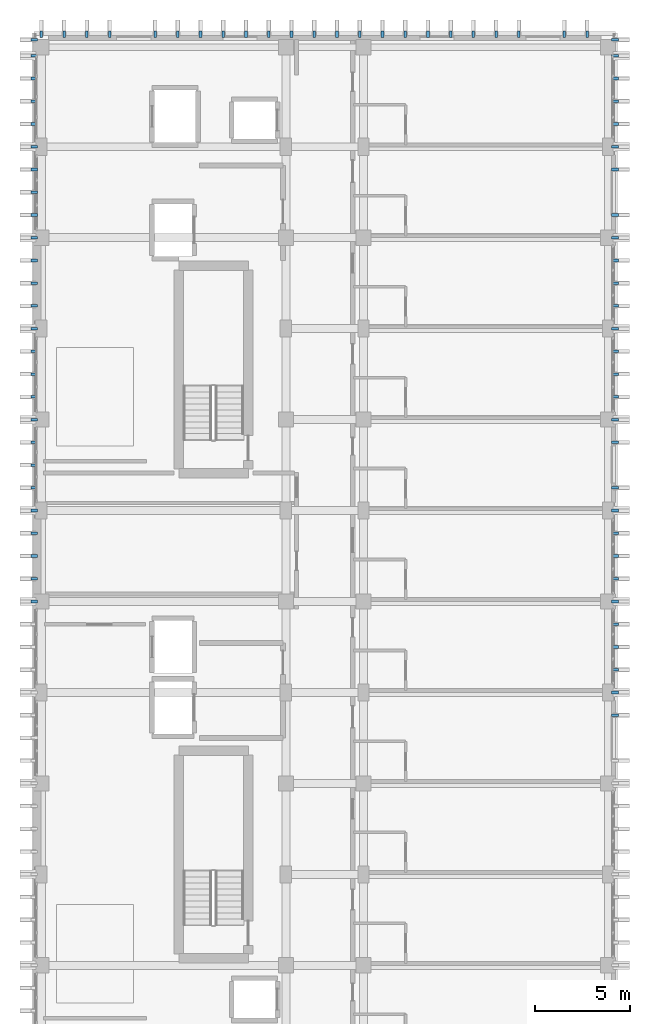
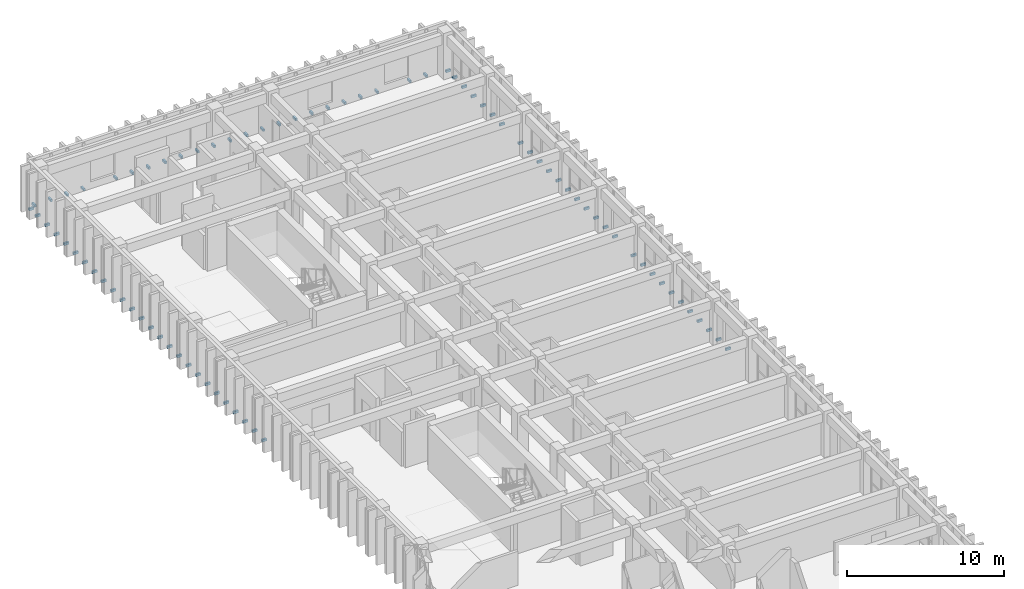
# One storey, part 71 of 82: 78 discrete accessories.
"""IFC4 building model written with IfcOpenShell, lengths in metres."""

import ifcopenshell
import ifcopenshell.guid

model = None  # the IFC model being written
_history = None  # IfcOwnerHistory: only IFC2X3 demands one
_inside = {}  # id of a spatial element -> (the spatial element, [elements in it])
_under = {}  # id of a project, library or spatial element -> (it, [spatial elements below it])
_declared = {}  # id of a project -> (the project, [libraries it declares])
_typed = {}  # id of a type object -> (the type object, [elements of that type])
_made_of = {}  # id of a material, layer set ... -> (it, [elements and type objects made of it])


def new_model(schema):
    """Start an empty IFC model of exactly this schema.

    Asked for "IFC4X3", IfcOpenShell would pick the latest addendum, in which some entities
    have other attributes; the version numbers below select the first issue.
    IFC2X3 requires an IfcOwnerHistory on every rooted entity: one is made here for all.
    """
    global model, _history
    if schema == "IFC4X3":
        model = ifcopenshell.file(schema_version=(4, 3, 0, 0))
    else:
        model = ifcopenshell.file(schema=schema)
    _inside.clear()
    _under.clear()
    _declared.clear()
    _typed.clear()
    _made_of.clear()
    _history = None
    if model.schema == "IFC2X3":
        org = make("IfcOrganization", Name="unknown")
        user = make(
            "IfcPersonAndOrganization",
            ThePerson=make("IfcPerson", FamilyName="unknown"),
            TheOrganization=org,
        )
        app = make(
            "IfcApplication",
            ApplicationDeveloper=org,
            Version="unknown",
            ApplicationFullName="unknown",
            ApplicationIdentifier="unknown",
        )
        _history = make(
            "IfcOwnerHistory",
            OwningUser=user,
            OwningApplication=app,
            ChangeAction="ADDED",
            CreationDate=0,
        )
    return model


def make(cls, **values):
    """One entity of the class cls with the attributes given. An attribute that is None is left unset."""
    return model.create_entity(
        cls, **{name: value for name, value in values.items() if value is not None}
    )


def rooted(cls, **values):
    """An entity with a GlobalId (a new one), such as an element, a storey or a relation."""
    return make(cls, GlobalId=ifcopenshell.guid.new(), OwnerHistory=_history, **values)


def si_unit(unit_type, name, prefix=None):
    """IfcSIUnit, for example si_unit("LENGTHUNIT", "METRE", prefix="MILLI")."""
    return make("IfcSIUnit", UnitType=unit_type, Prefix=prefix, Name=name)


def assignment(units):
    """IfcUnitAssignment: the units of a project."""
    return None if units is None else make("IfcUnitAssignment", Units=units)


def point(xyz):
    """IfcCartesianPoint."""
    return None if xyz is None else make("IfcCartesianPoint", Coordinates=xyz)


def direction(xyz):
    """IfcDirection."""
    return None if xyz is None else make("IfcDirection", DirectionRatios=xyz)


def frame(location, z_axis=None, x_axis=None):
    """IfcAxis2Placement3D, a coordinate frame: its origin and axes. An axis left out is left unset."""
    return make(
        "IfcAxis2Placement3D",
        Location=point(location),
        Axis=direction(z_axis),
        RefDirection=direction(x_axis),
    )


def frame_2d(location, x_axis=None):
    """IfcAxis2Placement2D, a coordinate frame in the plane: its origin and x axis."""
    return make(
        "IfcAxis2Placement2D", Location=point(location), RefDirection=direction(x_axis)
    )


def origin():
    """The frame at (0, 0, 0) with its axes left unset."""
    return frame((0.0, 0.0, 0.0))


def origin_2d():
    """The frame at (0, 0) in the plane with its x axis left unset."""
    return frame_2d((0.0, 0.0))


def place(relative_to, where):
    """IfcLocalPlacement: puts the frame where relative to a parent placement (None: the world)."""
    return make(
        "IfcLocalPlacement", PlacementRelTo=relative_to, RelativePlacement=where
    )


def context(
    kind, dimensions, precision=None, world=None, true_north=None, identifier=None
):
    """IfcGeometricRepresentationContext, for example the 3D "Model" context."""
    return make(
        "IfcGeometricRepresentationContext",
        ContextIdentifier=identifier,
        ContextType=kind,
        CoordinateSpaceDimension=dimensions,
        Precision=precision,
        WorldCoordinateSystem=world,
        TrueNorth=true_north,
    )


def subcontext(parent, identifier, kind, view, scale=None):
    """IfcGeometricRepresentationSubContext, for example "Body" below "Model"."""
    return make(
        "IfcGeometricRepresentationSubContext",
        ContextIdentifier=identifier,
        ContextType=kind,
        ParentContext=parent,
        TargetScale=scale,
        TargetView=view,
    )


def project(units=None, contexts=None):
    """IfcProject with its units and contexts."""
    return rooted(
        "IfcProject",
        Name="project",
        RepresentationContexts=contexts,
        UnitsInContext=assignment(units),
    )


def spatial(cls, under=None, at=None, **own):
    """A site, building, storey or space (cls), placed at a placement, below another one or the project."""
    s = rooted(cls, ObjectPlacement=at, **own)
    if under is not None:
        _under.setdefault(under.id(), (under, []))[1].append(s)
    return s


def profile(cls, at=None, kind="AREA", **sizes):
    """A parametric profile (cls). Its sizes go by their IFC names, for example OverallWidth=200.0."""
    return make(cls, ProfileType=kind, Position=at, **sizes)


def rectangle(**sizes):
    """IfcRectangleProfileDef."""
    return profile("IfcRectangleProfileDef", **sizes)


def extrude(swept, where, along, depth):
    """IfcExtrudedAreaSolid: the profile swept, set in the frame where, extruded along a direction by depth."""
    return make(
        "IfcExtrudedAreaSolid",
        SweptArea=swept,
        Position=where,
        ExtrudedDirection=direction(along),
        Depth=depth,
    )


def shape(context_of_items, identifier, shape_type, items):
    """IfcShapeRepresentation: the items that make up one representation, for example the "Body"."""
    return make(
        "IfcShapeRepresentation",
        ContextOfItems=context_of_items,
        RepresentationIdentifier=identifier,
        RepresentationType=shape_type,
        Items=items,
    )


def material(Name=None, Category=None):
    """IfcMaterial."""
    return make("IfcMaterial", Name=Name, Category=Category)


def made_of(thing, what):
    """Note that an element or type object is made of a material, layer set ...; save() writes the relation."""
    if what is not None:
        _made_of.setdefault(what.id(), (what, []))[1].append(thing)
    return thing


def type_object(cls, material=None, **own):
    """A type object (cls), such as IfcWallType, which elements share."""
    return made_of(rooted(cls, **own), material)


def element(
    cls,
    number,
    at=None,
    inside=None,
    cuts=None,
    type_object=None,
    material=None,
    context=None,
    identifier="Body",
    shape_type=None,
    held_by="IfcProductDefinitionShape",
    body=None,
    shapes=None,
    **own,
):
    """One element of the class cls, such as IfcWall. Its Tag is "e" and its number.

    at: its placement. inside: the storey or other place that contains it. cuts: it is an
    opening in that element (IfcRelVoidsElement). A single representation is given by context,
    identifier, shape_type and body (its items); several are given by shapes. held_by: the class
    of the entity that holds the representations. save() writes the other relations.
    """
    e = rooted(cls, Tag="e%d" % number, ObjectPlacement=at, **own)
    if body is not None:
        shapes = [shape(context, identifier, shape_type, body)]
    if shapes is not None:
        e.Representation = make(held_by, Representations=shapes)
    if inside is not None:
        _inside.setdefault(inside.id(), (inside, []))[1].append(e)
    if cuts is not None:
        rooted(
            "IfcRelVoidsElement", RelatingBuildingElement=cuts, RelatedOpeningElement=e
        )
    if type_object is not None:
        _typed.setdefault(type_object.id(), (type_object, []))[1].append(e)
    return made_of(e, material)


def aggregate(whole, parts):
    """IfcRelAggregates: a whole, such as a stair, and the parts it consists of."""
    return rooted("IfcRelAggregates", RelatingObject=whole, RelatedObjects=parts)


def save(model, path):
    """Write the relations noted so far, then the file.

    IfcRelAggregates (storeys below a building ...), IfcRelContainedInSpatialStructure (elements
    in a storey), IfcRelDefinesByType, IfcRelAssociatesMaterial and IfcRelDeclares: one each for
    every whole, place, type object, material and project.
    """
    for whole, parts in _under.values():
        aggregate(whole, parts)
    for where, things in _inside.values():
        rooted(
            "IfcRelContainedInSpatialStructure",
            RelatedElements=things,
            RelatingStructure=where,
        )
    for kind, things in _typed.values():
        rooted("IfcRelDefinesByType", RelatedObjects=things, RelatingType=kind)
    for what, things in _made_of.values():
        rooted("IfcRelAssociatesMaterial", RelatedObjects=things, RelatingMaterial=what)
    for by, libraries in _declared.values():
        rooted("IfcRelDeclares", RelatingContext=by, RelatedDefinitions=libraries)
    model.write(path)


model = new_model("IFC4")

# Units and contexts
model_context = context("Model", 3, precision=1e-05, world=origin(), true_north=direction((0.0, 1.0)))
body_context = subcontext(model_context, "Body", "Model", "MODEL_VIEW")
ifc_project = project(units=[si_unit("LENGTHUNIT", "METRE"), si_unit("AREAUNIT", "SQUARE_METRE"), si_unit("VOLUMEUNIT", "CUBIC_METRE"), si_unit("PLANEANGLEUNIT", "RADIAN"), si_unit("MASSUNIT", "GRAM", prefix="KILO")], contexts=[model_context])

# Site, building, storey
site_placement = place(None, origin())
site = spatial("IfcSite", under=ifc_project, at=site_placement, CompositionType="ELEMENT")
building_placement = place(site_placement, origin())
building = spatial("IfcBuilding", under=site, at=building_placement, Name="Nakhvara Creek Congress Hotel", CompositionType="ELEMENT")
storey_placement = place(building_placement, frame((0.0, 0.0, 21.0)))
storey = spatial("IfcBuildingStorey", under=building, at=storey_placement, Name="L04", CompositionType="ELEMENT", Elevation=21.0)

# Discrete accessories
ifc_material = material(Name="Brushed stainless steel 316L", Category="steel")
discrete_accessory_type = type_object("IfcDiscreteAccessoryType", Name="ACC-BRK-SS316", PredefinedType="BRACKET", material=ifc_material)
for number, where, z_axis, x_axis, name in (
    (1, (179.72998046875, 90.0, -0.10986328125), (0.0, 0.0, 1.0), (0.0, 1.0, 0.0), "Stainless Fin Bracket BK01-1178"),
    (2, (179.72998046875, 91.199951171875, -0.10986328125), (0.0, 0.0, 1.0), (0.0, 1.0, 0.0), "Stainless Fin Bracket BK01-1180"),
    (3, (179.72998046875, 92.39990234375, -0.10986328125), (0.0, 0.0, 1.0), (0.0, 1.0, 0.0), "Stainless Fin Bracket BK01-1182"),
    (4, (179.72998046875, 93.60009765625, -0.10986328125), (0.0, 0.0, 1.0), (0.0, 1.0, 0.0), "Stainless Fin Bracket BK01-1184"),
    (5, (179.72998046875, 94.800048828125, -0.10986328125), (0.0, 0.0, 1.0), (0.0, 1.0, 0.0), "Stainless Fin Bracket BK01-1186"),
    (6, (179.72998046875, 96.0, -0.10986328125), (0.0, 0.0, 1.0), (0.0, 1.0, 0.0), "Stainless Fin Bracket BK01-1188"),
    (7, (149.070068359375, 96.0, -0.10986328125), (0.0, 0.0, 1.0), (0.0, 1.0, 0.0), "Stainless Fin Bracket BK01-1189"),
    (8, (179.72998046875, 97.199951171875, -0.10986328125), (0.0, 0.0, 1.0), (0.0, 1.0, 0.0), "Stainless Fin Bracket BK01-1190"),
    (9, (149.070068359375, 97.199951171875, -0.10986328125), (0.0, 0.0, 1.0), (0.0, 1.0, 0.0), "Stainless Fin Bracket BK01-1191"),
    (10, (179.72998046875, 98.39990234375, -0.10986328125), (0.0, 0.0, 1.0), (0.0, 1.0, 0.0), "Stainless Fin Bracket BK01-1192"),
    (11, (149.070068359375, 98.39990234375, -0.10986328125), (0.0, 0.0, 1.0), (0.0, 1.0, 0.0), "Stainless Fin Bracket BK01-1193"),
    (12, (179.72998046875, 99.60009765625, -0.10986328125), (0.0, 0.0, 1.0), (0.0, 1.0, 0.0), "Stainless Fin Bracket BK01-1194"),
    (13, (149.070068359375, 99.60009765625, -0.10986328125), (0.0, 0.0, 1.0), (0.0, 1.0, 0.0), "Stainless Fin Bracket BK01-1195"),
    (14, (179.72998046875, 100.800048828125, -0.10986328125), (0.0, 0.0, 1.0), (0.0, 1.0, 0.0), "Stainless Fin Bracket BK01-1196"),
    (15, (149.070068359375, 100.800048828125, -0.10986328125), (0.0, 0.0, 1.0), (0.0, 1.0, 0.0), "Stainless Fin Bracket BK01-1197"),
    (16, (179.72998046875, 102.0, -0.10986328125), (0.0, 0.0, 1.0), (0.0, 1.0, 0.0), "Stainless Fin Bracket BK01-1198"),
    (17, (149.070068359375, 102.0, -0.10986328125), (0.0, 0.0, 1.0), (0.0, 1.0, 0.0), "Stainless Fin Bracket BK01-1199"),
    (18, (149.070068359375, 103.199951171875, -0.10986328125), (0.0, 0.0, 1.0), (0.0, 1.0, 0.0), "Stainless Fin Bracket BK01-1200"),
    (19, (179.72998046875, 104.39990234375, -0.10986328125), (0.0, 0.0, 1.0), (0.0, 1.0, 0.0), "Stainless Fin Bracket BK01-1201"),
    (20, (149.070068359375, 104.39990234375, -0.10986328125), (0.0, 0.0, 1.0), (0.0, 1.0, 0.0), "Stainless Fin Bracket BK01-1202"),
    (21, (179.72998046875, 105.60009765625, -0.10986328125), (0.0, 0.0, 1.0), (0.0, 1.0, 0.0), "Stainless Fin Bracket BK01-1203"),
    (22, (149.070068359375, 105.60009765625, -0.10986328125), (0.0, 0.0, 1.0), (0.0, 1.0, 0.0), "Stainless Fin Bracket BK01-1204"),
    (23, (179.72998046875, 106.800048828125, -0.10986328125), (0.0, 0.0, 1.0), (0.0, 1.0, 0.0), "Stainless Fin Bracket BK01-1205"),
    (24, (149.070068359375, 106.800048828125, -0.10986328125), (0.0, 0.0, 1.0), (0.0, 1.0, 0.0), "Stainless Fin Bracket BK01-1206"),
    (25, (179.72998046875, 108.0, -0.10986328125), (0.0, 0.0, 1.0), (0.0, 1.0, 0.0), "Stainless Fin Bracket BK01-1207"),
    (26, (149.070068359375, 108.0, -0.10986328125), (0.0, 0.0, 1.0), (0.0, 1.0, 0.0), "Stainless Fin Bracket BK01-1208"),
    (27, (179.72998046875, 109.199951171875, -0.10986328125), (0.0, 0.0, 1.0), (0.0, 1.0, 0.0), "Stainless Fin Bracket BK01-1209"),
    (28, (149.070068359375, 109.199951171875, -0.10986328125), (0.0, 0.0, 1.0), (0.0, 1.0, 0.0), "Stainless Fin Bracket BK01-1210"),
    (29, (179.72998046875, 110.39990234375, -0.10986328125), (0.0, 0.0, 1.0), (0.0, 1.0, 0.0), "Stainless Fin Bracket BK01-1211"),
    (30, (149.070068359375, 110.39990234375, -0.10986328125), (0.0, 0.0, 1.0), (0.0, 1.0, 0.0), "Stainless Fin Bracket BK01-1212"),
    (31, (179.72998046875, 111.60009765625, -0.10986328125), (0.0, 0.0, 1.0), (0.0, 1.0, 0.0), "Stainless Fin Bracket BK01-1213"),
    (32, (149.070068359375, 111.60009765625, -0.10986328125), (0.0, 0.0, 1.0), (0.0, 1.0, 0.0), "Stainless Fin Bracket BK01-1214"),
    (33, (179.72998046875, 112.800048828125, -0.10986328125), (0.0, 0.0, 1.0), (0.0, 1.0, 0.0), "Stainless Fin Bracket BK01-1215"),
    (34, (149.070068359375, 112.800048828125, -0.10986328125), (0.0, 0.0, 1.0), (0.0, 1.0, 0.0), "Stainless Fin Bracket BK01-1216"),
    (35, (179.72998046875, 114.0, -0.10986328125), (0.0, 0.0, 1.0), (0.0, 1.0, 0.0), "Stainless Fin Bracket BK01-1217"),
    (36, (149.070068359375, 114.0, -0.10986328125), (0.0, 0.0, 1.0), (0.0, 1.0, 0.0), "Stainless Fin Bracket BK01-1218"),
    (37, (179.72998046875, 115.199951171875, -0.10986328125), (0.0, 0.0, 1.0), (0.0, 1.0, 0.0), "Stainless Fin Bracket BK01-1219"),
    (38, (149.070068359375, 115.199951171875, -0.10986328125), (0.0, 0.0, 1.0), (0.0, 1.0, 0.0), "Stainless Fin Bracket BK01-1220"),
    (39, (179.72998046875, 116.39990234375, -0.10986328125), (0.0, 0.0, 1.0), (0.0, 1.0, 0.0), "Stainless Fin Bracket BK01-1221"),
    (40, (149.070068359375, 116.39990234375, -0.10986328125), (0.0, 0.0, 1.0), (0.0, 1.0, 0.0), "Stainless Fin Bracket BK01-1222"),
    (41, (149.070068359375, 117.60009765625, -0.10986328125), (0.0, 0.0, 1.0), (0.0, 1.0, 0.0), "Stainless Fin Bracket BK01-1223"),
    (42, (179.72998046875, 118.800048828125, -0.10986328125), (0.0, 0.0, 1.0), (0.0, 1.0, 0.0), "Stainless Fin Bracket BK01-1224"),
    (43, (149.070068359375, 118.800048828125, -0.10986328125), (0.0, 0.0, 1.0), (0.0, 1.0, 0.0), "Stainless Fin Bracket BK01-1225"),
    (44, (179.72998046875, 120.0, -0.10986328125), (0.0, 0.0, 1.0), (0.0, 1.0, 0.0), "Stainless Fin Bracket BK01-1226"),
    (45, (149.070068359375, 120.0, -0.10986328125), (0.0, 0.0, 1.0), (0.0, 1.0, 0.0), "Stainless Fin Bracket BK01-1227"),
    (46, (179.72998046875, 121.199951171875, -0.10986328125), (0.0, 0.0, 1.0), (0.0, 1.0, 0.0), "Stainless Fin Bracket BK01-1228"),
    (47, (149.070068359375, 121.199951171875, -0.10986328125), (0.0, 0.0, 1.0), (0.0, 1.0, 0.0), "Stainless Fin Bracket BK01-1229"),
    (48, (179.72998046875, 122.39990234375, -0.10986328125), (0.0, 0.0, 1.0), (0.0, 1.0, 0.0), "Stainless Fin Bracket BK01-1230"),
    (49, (149.070068359375, 122.39990234375, -0.10986328125), (0.0, 0.0, 1.0), (0.0, 1.0, 0.0), "Stainless Fin Bracket BK01-1231"),
    (50, (179.72998046875, 123.60009765625, -0.10986328125), (0.0, 0.0, 1.0), (0.0, 1.0, 0.0), "Stainless Fin Bracket BK01-1232"),
    (51, (149.070068359375, 123.60009765625, -0.10986328125), (0.0, 0.0, 1.0), (0.0, 1.0, 0.0), "Stainless Fin Bracket BK01-1233"),
    (52, (179.72998046875, 124.800048828125, -0.10986328125), (0.0, 0.0, 1.0), (0.0, 1.0, 0.0), "Stainless Fin Bracket BK01-1234"),
    (53, (149.070068359375, 124.800048828125, -0.10986328125), (0.0, 0.0, 1.0), (0.0, 1.0, 0.0), "Stainless Fin Bracket BK01-1235"),
    (54, (179.72998046875, 125.64990234375, -0.10986328125), (0.0, 0.0, 1.0), (0.0, 1.0, 0.0), "Stainless Fin Bracket BK01-1236"),
    (55, (149.070068359375, 125.64990234375, -0.10986328125), (0.0, 0.0, 1.0), (0.0, 1.0, 0.0), "Stainless Fin Bracket BK01-1237"),
    (56, (149.449951171875, 125.93994140625, -0.10986328125), (0.0, 0.0, 1.0), (1.0, 0.0, 0.0), "Stainless Fin Bracket BK01-1238"),
    (57, (150.64990234375, 125.93994140625, -0.10986328125), (0.0, 0.0, 1.0), (1.0, 0.0, 0.0), "Stainless Fin Bracket BK01-1240"),
    (58, (151.85009765625, 125.93994140625, -0.10986328125), (0.0, 0.0, 1.0), (1.0, 0.0, 0.0), "Stainless Fin Bracket BK01-1242"),
    (59, (153.050048828125, 125.93994140625, -0.10986328125), (0.0, 0.0, 1.0), (1.0, 0.0, 0.0), "Stainless Fin Bracket BK01-1244"),
    (60, (155.449951171875, 125.93994140625, -0.10986328125), (0.0, 0.0, 1.0), (1.0, 0.0, 0.0), "Stainless Fin Bracket BK01-1247"),
    (61, (156.64990234375, 125.93994140625, -0.10986328125), (0.0, 0.0, 1.0), (1.0, 0.0, 0.0), "Stainless Fin Bracket BK01-1249"),
    (62, (157.85009765625, 125.93994140625, -0.10986328125), (0.0, 0.0, 1.0), (1.0, 0.0, 0.0), "Stainless Fin Bracket BK01-1251"),
    (63, (159.050048828125, 125.93994140625, -0.10986328125), (0.0, 0.0, 1.0), (1.0, 0.0, 0.0), "Stainless Fin Bracket BK01-1253"),
    (64, (160.25, 125.93994140625, -0.10986328125), (0.0, 0.0, 1.0), (1.0, 0.0, 0.0), "Stainless Fin Bracket BK01-1255"),
    (65, (161.449951171875, 125.93994140625, -0.10986328125), (0.0, 0.0, 1.0), (1.0, 0.0, 0.0), "Stainless Fin Bracket BK01-1257"),
    (66, (162.64990234375, 125.93994140625, -0.10986328125), (0.0, 0.0, 1.0), (1.0, 0.0, 0.0), "Stainless Fin Bracket BK01-1259"),
    (67, (163.85009765625, 125.93994140625, -0.10986328125), (0.0, 0.0, 1.0), (1.0, 0.0, 0.0), "Stainless Fin Bracket BK01-1261"),
    (68, (165.050048828125, 125.93994140625, -0.10986328125), (0.0, 0.0, 1.0), (1.0, 0.0, 0.0), "Stainless Fin Bracket BK01-1262"),
    (69, (166.25, 125.93994140625, -0.10986328125), (0.0, 0.0, 1.0), (1.0, 0.0, 0.0), "Stainless Fin Bracket BK01-1263"),
    (70, (167.449951171875, 125.93994140625, -0.10986328125), (0.0, 0.0, 1.0), (1.0, 0.0, 0.0), "Stainless Fin Bracket BK01-1265"),
    (71, (168.64990234375, 125.93994140625, -0.10986328125), (0.0, 0.0, 1.0), (1.0, 0.0, 0.0), "Stainless Fin Bracket BK01-1267"),
    (72, (169.85009765625, 125.93994140625, -0.10986328125), (0.0, 0.0, 1.0), (1.0, 0.0, 0.0), "Stainless Fin Bracket BK01-1268"),
    (73, (171.050048828125, 125.93994140625, -0.10986328125), (0.0, 0.0, 1.0), (1.0, 0.0, 0.0), "Stainless Fin Bracket BK01-1270"),
    (74, (172.25, 125.93994140625, -0.10986328125), (0.0, 0.0, 1.0), (1.0, 0.0, 0.0), "Stainless Fin Bracket BK01-1272"),
    (75, (173.449951171875, 125.93994140625, -0.10986328125), (0.0, 0.0, 1.0), (1.0, 0.0, 0.0), "Stainless Fin Bracket BK01-1274"),
    (76, (174.64990234375, 125.93994140625, -0.10986328125), (0.0, 0.0, 1.0), (1.0, 0.0, 0.0), "Stainless Fin Bracket BK01-1276"),
    (77, (177.050048828125, 125.93994140625, -0.10986328125), (0.0, 0.0, 1.0), (1.0, 0.0, 0.0), "Stainless Fin Bracket BK01-1279"),
    (78, (178.25, 125.93994140625, -0.10986328125), (0.0, 0.0, 1.0), (1.0, 0.0, 0.0), "Stainless Fin Bracket BK01-1281"),
):
    element("IfcDiscreteAccessory", number, at=place(storey_placement, frame(where, z_axis=z_axis, x_axis=x_axis)), inside=storey, type_object=discrete_accessory_type, Name=name, PredefinedType="BRACKET", context=body_context, shape_type="SweptSolid", body=[
        extrude(rectangle(XDim=0.139892578125, YDim=0.360107421875, at=origin_2d()), origin(), (0.0, 0.0, 1.0), 0.179931640625),
    ])

save(model, "model.ifc")
